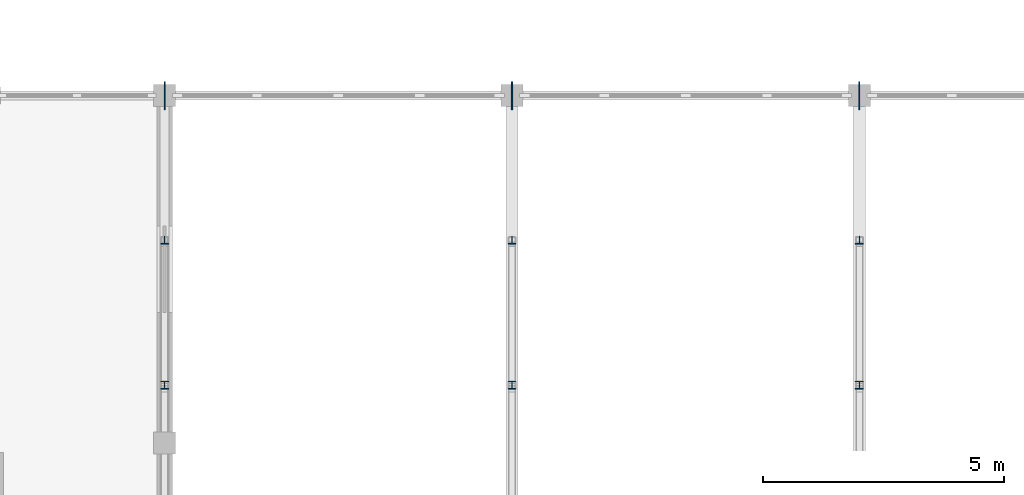
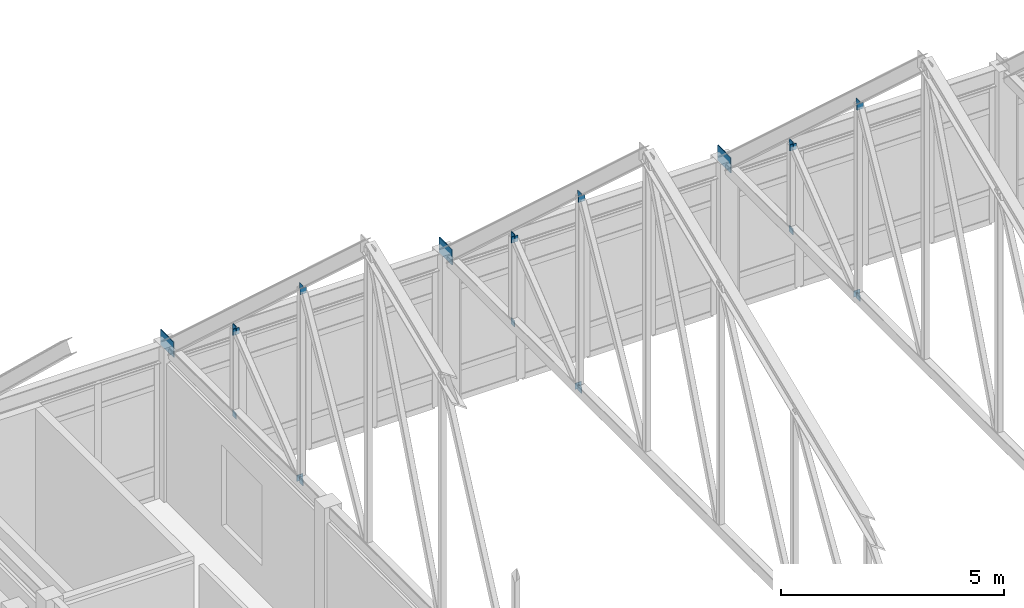
# One storey, part 105 of 136: 24 plates.
"""IFC4 building model written with IfcOpenShell, lengths in metres."""

from ifc_helpers import new_model, si_unit, direction, frame, origin, origin_2d, place, context, subcontext, project, spatial, rectangle, extrude, material, layer, layer_set, type_object, element, save


model = new_model("IFC4")

# Units and contexts
model_context = context("Model", 3, precision=1e-05, world=origin(), true_north=direction((0.0, 1.0)))
body_context = subcontext(model_context, "Body", "Model", "MODEL_VIEW")
ifc_project = project(units=[si_unit("LENGTHUNIT", "METRE"), si_unit("AREAUNIT", "SQUARE_METRE"), si_unit("VOLUMEUNIT", "CUBIC_METRE"), si_unit("PLANEANGLEUNIT", "RADIAN"), si_unit("MASSUNIT", "GRAM", prefix="KILO")], contexts=[model_context])

# Site, building, storey
site_placement = place(None, origin())
site = spatial("IfcSite", under=ifc_project, at=site_placement, CompositionType="ELEMENT")
building_placement = place(site_placement, origin())
building = spatial("IfcBuilding", under=site, at=building_placement, Name="Koriwan Promenade Central Fire Station", CompositionType="ELEMENT")
storey_placement = place(building_placement, frame((0.0, 0.0, 5.39990234375)))
storey = spatial("IfcBuildingStorey", under=building, at=storey_placement, Name="L01", CompositionType="ELEMENT", Elevation=5.39990234375)

# Plates
ifc_material = material(Name="Steel ASTM A572 Grade 50", Category="steel")
ifc_layer_1 = layer(ifc_material, 0.01611328125, Name="Steel ASTM A572 Grade 50")
ifc_layer_set_1 = layer_set([ifc_layer_1], Name="Steel ASTM A572 Grade 50")
plate_type_1 = type_object("IfcPlateType", Name="EndCap_HSS150", PredefinedType="SHEET", material=ifc_layer_set_1)
for number, where, z_axis, x_axis, name in (
    (1, (64.800048828125, 66.0, 3.9296875), (0.0, 0.0, 1.0), (1.0, 0.0, 0.0), "TR_V1_02 vertical 7 end cap 1"),
    (2, (64.800048828125, 66.0, 9.232666015625), (0.0, 0.0, 1.0), (1.0, 0.0, 0.0), "TR_V1_02 vertical 7 end cap 2"),
    (3, (64.800048828125, 69.0, 3.9296875), (0.0, 0.0, 1.0), (1.0, 0.0, 0.0), "TR_V1_02 vertical 8 end cap 1"),
    (4, (64.800048828125, 69.0, 6.299072265625), (0.0, 0.0, 1.0), (1.0, 0.0, 0.0), "TR_V1_02 vertical 8 end cap 2"),
    (5, (64.800048828125, 65.923828125, 9.181640625), (0.0, 0.0, 1.0), (0.0, 1.0, 0.0), "TR_V1_02 web diagonal 7 end cap 2"),
    (6, (64.800048828125, 66.07373046875, 3.982666015625), (0.0, 0.0, 1.0), (0.0, 1.0, 0.0), "TR_V1_02 web diagonal 8 end cap 1"),
    (7, (64.800048828125, 68.92626953125, 6.24609375), (0.0, 0.0, 1.0), (0.0, 1.0, 0.0), "TR_V1_02 web diagonal 8 end cap 2"),
    (8, (72.0, 66.0, 3.9296875), (0.0, 0.0, 1.0), (1.0, 0.0, 0.0), "TR_V1_03 vertical 7 end cap 1"),
    (9, (72.0, 66.0, 9.232666015625), (0.0, 0.0, 1.0), (1.0, 0.0, 0.0), "TR_V1_03 vertical 7 end cap 2"),
    (10, (72.0, 69.0, 3.9296875), (0.0, 0.0, 1.0), (1.0, 0.0, 0.0), "TR_V1_03 vertical 8 end cap 1"),
    (11, (72.0, 69.0, 6.299072265625), (0.0, 0.0, 1.0), (1.0, 0.0, 0.0), "TR_V1_03 vertical 8 end cap 2"),
    (12, (72.0, 65.923828125, 9.181640625), (0.0, 0.0, 1.0), (0.0, 1.0, 0.0), "TR_V1_03 web diagonal 7 end cap 2"),
    (13, (72.0, 66.07373046875, 3.982666015625), (0.0, 0.0, 1.0), (0.0, 1.0, 0.0), "TR_V1_03 web diagonal 8 end cap 1"),
    (14, (72.0, 68.92626953125, 6.24609375), (0.0, 0.0, 1.0), (0.0, 1.0, 0.0), "TR_V1_03 web diagonal 8 end cap 2"),
    (15, (79.199951171875, 66.0, 3.9296875), (0.0, 0.0, 1.0), (1.0, 0.0, 0.0), "TR_V1_04 vertical 7 end cap 1"),
    (16, (79.199951171875, 66.0, 9.232666015625), (0.0, 0.0, 1.0), (1.0, 0.0, 0.0), "TR_V1_04 vertical 7 end cap 2"),
    (17, (79.199951171875, 69.0, 3.9296875), (0.0, 0.0, 1.0), (1.0, 0.0, 0.0), "TR_V1_04 vertical 8 end cap 1"),
    (18, (79.199951171875, 69.0, 6.299072265625), (0.0, 0.0, 1.0), (1.0, 0.0, 0.0), "TR_V1_04 vertical 8 end cap 2"),
    (19, (79.199951171875, 65.923828125, 9.181640625), (0.0, 0.0, 1.0), (0.0, 1.0, 0.0), "TR_V1_04 web diagonal 7 end cap 2"),
    (20, (79.199951171875, 66.07373046875, 3.982666015625), (0.0, 0.0, 1.0), (0.0, 1.0, 0.0), "TR_V1_04 web diagonal 8 end cap 1"),
    (21, (79.199951171875, 68.92626953125, 6.24609375), (0.0, 0.0, 1.0), (0.0, 1.0, 0.0), "TR_V1_04 web diagonal 8 end cap 2"),
):
    element("IfcPlate", number, at=place(storey_placement, frame(where, z_axis=z_axis, x_axis=x_axis)), inside=storey, type_object=plate_type_1, Name=name, PredefinedType="SHEET", context=body_context, shape_type="SweptSolid", body=[
        extrude(rectangle(XDim=0.01611328125, YDim=0.1650390625, at=origin_2d()), origin(), (0.0, 0.0, 1.0), 0.1650390625),
    ])
ifc_layer_2 = layer(ifc_material, 0.419921875, Name="Steel ASTM A572 Grade 50")
ifc_layer_set_2 = layer_set([ifc_layer_2], Name="Steel ASTM A572 Grade 50")
plate_type_2 = type_object("IfcPlateType", Name="NodeGusset_Eave", PredefinedType="SHEET", material=ifc_layer_set_2)
for number, where, z_axis, x_axis, name in (
    (22, (64.800048828125, 72.0, 3.93017578125), (0.0, 0.0, 1.0), (1.0, 0.0, 0.0), "TR_V1_02 eave node gusset TN-E1 (N)"),
    (23, (72.0, 72.0, 3.93017578125), (0.0, 0.0, 1.0), (1.0, 0.0, 0.0), "TR_V1_03 eave node gusset TN-E1 (N)"),
    (24, (79.199951171875, 72.0, 3.93017578125), (0.0, 0.0, 1.0), (1.0, 0.0, 0.0), "TR_V1_04 eave node gusset TN-E1 (N)"),
):
    element("IfcPlate", number, at=place(storey_placement, frame(where, z_axis=z_axis, x_axis=x_axis)), inside=storey, type_object=plate_type_2, Name=name, PredefinedType="SHEET", context=body_context, shape_type="SweptSolid", body=[
        extrude(rectangle(XDim=0.02197265625, YDim=0.580078125, at=origin_2d()), origin(), (0.0, 0.0, 1.0), 0.419921875),
    ])

save(model, "model.ifc")
